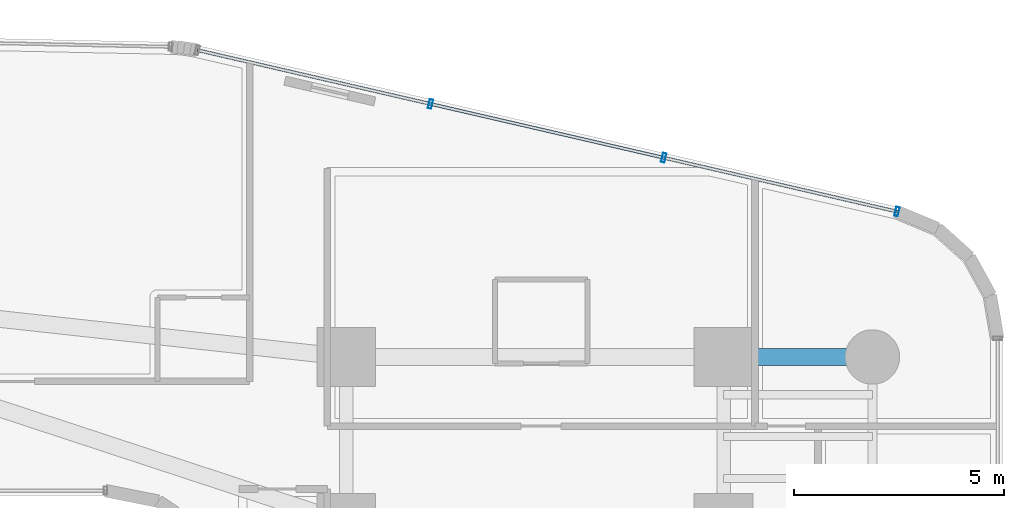
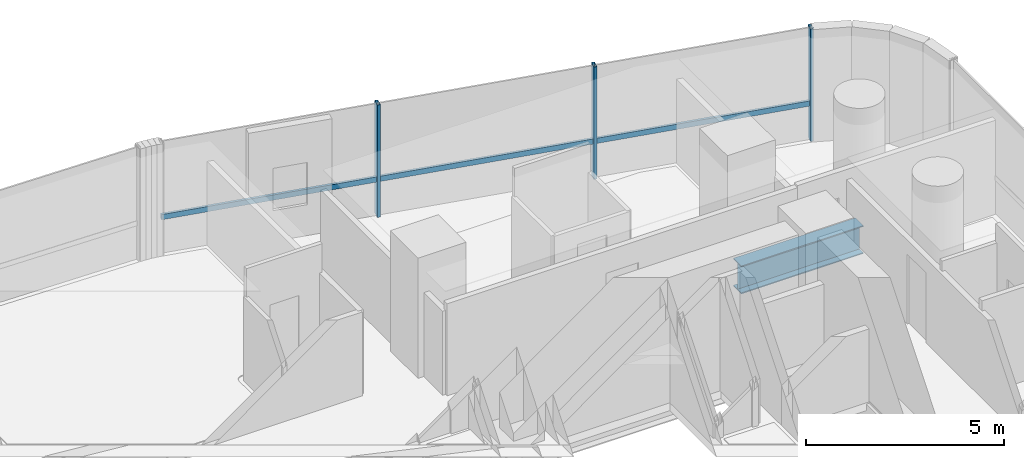
# One storey, part 24 of 42: 4 members, 1 beam, 1 element without a shape of its own.
"""IFC4 building model written with IfcOpenShell, lengths in metres."""

from ifc_helpers import new_model, si_unit, direction, frame, origin, origin_2d, place, context, subcontext, project, spatial, hollow_rectangle, i_section, extrude, source, transform, mapped, material, material_profile, profile_set, type_object, element, aggregate, save


model = new_model("IFC4")

# Units and contexts
model_context = context("Model", 3, precision=1e-05, world=origin(), true_north=direction((0.0, 1.0)))
body_context = subcontext(model_context, "Body", "Model", "MODEL_VIEW")
ifc_project = project(units=[si_unit("LENGTHUNIT", "METRE"), si_unit("AREAUNIT", "SQUARE_METRE"), si_unit("VOLUMEUNIT", "CUBIC_METRE"), si_unit("PLANEANGLEUNIT", "RADIAN"), si_unit("MASSUNIT", "GRAM", prefix="KILO")], contexts=[model_context])

# Site, building, storey
site_placement = place(None, origin())
site = spatial("IfcSite", under=ifc_project, at=site_placement, CompositionType="ELEMENT")
building_placement = place(site_placement, origin())
building = spatial("IfcBuilding", under=site, at=building_placement, Name="Valdorenza Pilgrim Sanctuary Tower", CompositionType="ELEMENT")
storey_placement = place(building_placement, frame((0.0, 0.0, 29.699951171875)))
storey = spatial("IfcBuildingStorey", under=building, at=storey_placement, Name="L06", CompositionType="ELEMENT", Elevation=29.699951171875)

# Beam
ifc_material_1 = material(Name="Steel ASTM A992 Grade 50", Category="steel")
ifc_material_profile_1 = material_profile(ifc_material_1, i_section(OverallWidth=0.39990234375, OverallDepth=0.862060546875, WebThickness=0.019775390625, FlangeThickness=0.032470703125, at=origin_2d()), Name="W33X221")
ifc_profile_set_1 = profile_set([ifc_material_profile_1], Name="Steel ASTM A992 Grade 50")
beam_type = type_object("IfcBeamType", Name="STR-BM-GRD-W33", PredefinedType="BEAM", material=ifc_profile_set_1)
shared_shape_1 = source(origin(), body_context, "Body", "SweptSolid", [
    extrude(i_section(OverallWidth=0.39990234375, OverallDepth=0.862060546875, WebThickness=0.019775390625, FlangeThickness=0.032470703125, at=origin_2d()), origin(), (0.0, 0.0, 1.0), 3.5498046875),
])
beam_placement = place(storey_placement, frame((24.85009765625, 13.5, -0.6708984375), z_axis=(1.0, 0.0, 0.0), x_axis=(0.0, 1.0, 0.0)))
element("IfcBeam", 1, at=beam_placement, inside=storey, type_object=beam_type, Name="L06 Floor Girder WB-XE-N2", PredefinedType="BEAM", context=body_context, shape_type="MappedRepresentation", body=[
    mapped(shared_shape_1, transform((0.0, 0.0, 0.0), x_axis=(1.0, 0.0, 0.0), y_axis=(0.0, 1.0, 0.0), z_axis=(0.0, 0.0, 1.0), scale=1.0)),
])

# Curtain wall, members
ifc_material_2 = material(Name="Curtain-wall IGU glazing", Category="glass")
curtain_wall_type = type_object("IfcCurtainWallType", Name="CW-SYS-03", PredefinedType="NOTDEFINED", material=ifc_material_2)
curtain_wall_placement = place(storey_placement, origin())
curtain_wall = element("IfcCurtainWall", 2, at=curtain_wall_placement, inside=storey, type_object=curtain_wall_type, Name="L06 Curtain Wall CW-L06-1-16", PredefinedType="NOTDEFINED")
ifc_material_3 = material(Name="Anodised aluminium AW-6060", Category="aluminium")
ifc_material_profile_2 = material_profile(ifc_material_3, hollow_rectangle(XDim=0.0849609375, YDim=0.219970703125, WallThickness=0.0048828125, at=origin_2d()), Name="ALU-M 220x85x5")
ifc_profile_set_2 = profile_set([ifc_material_profile_2], Name="Anodised aluminium AW-6060")
member_type_1 = type_object("IfcMemberType", Name="CW-MUL-03", PredefinedType="MULLION", material=ifc_profile_set_2)
shared_shape_2 = source(origin(), body_context, "Body", "SweptSolid", [
    extrude(hollow_rectangle(XDim=0.0849609375, YDim=0.219970703125, WallThickness=0.0048828125, at=origin_2d()), origin(), (0.0, 0.0, 1.0), 3.4599609375),
])
member_1_placement = place(storey_placement, frame((17.861328125, 19.534423828125, 0.0), z_axis=(0.0, 0.0, 1.0), x_axis=(0.974389691758, -0.224866023659, 0.0)))
member_1 = element("IfcMember", 3, at=member_1_placement, type_object=member_type_1, Name="CW-L06-1-16 Mullion 2", PredefinedType="MULLION", context=body_context, shape_type="MappedRepresentation", body=[
    mapped(shared_shape_2, transform((0.0, 0.0, 0.0), x_axis=(1.0, 0.0, 0.0), y_axis=(0.0, 1.0, 0.0), z_axis=(0.0, 0.0, 1.0), scale=1.0)),
])
member_2_placement = place(storey_placement, frame((23.423583984375, 18.2509765625, 0.0), z_axis=(0.0, 0.0, 1.0), x_axis=(0.974389691758, -0.224866023659, 0.0)))
member_2 = element("IfcMember", 4, at=member_2_placement, type_object=member_type_1, Name="CW-L06-1-16 Mullion 3", PredefinedType="MULLION", context=body_context, shape_type="MappedRepresentation", body=[
    mapped(shared_shape_2, transform((0.0, 0.0, 0.0), x_axis=(1.0, 0.0, 0.0), y_axis=(0.0, 1.0, 0.0), z_axis=(0.0, 0.0, 1.0), scale=1.0)),
])
member_3_placement = place(storey_placement, frame((28.98583984375, 16.96728515625, 0.0), z_axis=(0.0, 0.0, 1.0), x_axis=(0.974389691758, -0.224866023659, 0.0)))
member_3 = element("IfcMember", 5, at=member_3_placement, type_object=member_type_1, Name="CW-L06-1-16 Mullion 4", PredefinedType="MULLION", context=body_context, shape_type="MappedRepresentation", body=[
    mapped(shared_shape_2, transform((0.0, 0.0, 0.0), x_axis=(1.0, 0.0, 0.0), y_axis=(0.0, 1.0, 0.0), z_axis=(0.0, 0.0, 1.0), scale=1.0)),
])
ifc_material_profile_3 = material_profile(ifc_material_3, hollow_rectangle(XDim=0.074951171875, YDim=0.159912109375, WallThickness=0.00390625, at=origin_2d()), Name="ALU-T 160x75x4")
ifc_profile_set_3 = profile_set([ifc_material_profile_3], Name="Anodised aluminium AW-6060")
member_type_2 = type_object("IfcMemberType", Name="CW-TRN-03", PredefinedType="USERDEFINED", material=ifc_profile_set_3)
shared_shape_3 = source(origin(), body_context, "Body", "SweptSolid", [
    extrude(hollow_rectangle(XDim=0.074951171875, YDim=0.159912109375, WallThickness=0.00390625, at=origin_2d()), origin(), (0.0, 0.0, 1.0), 17.125244140625),
])
member_4_placement = place(storey_placement, frame((12.299072265625, 20.818115234375, 1.1201171875), z_axis=(0.974390715149, -0.224861589051, 0.0), x_axis=(0.224861589051, 0.974390715149, 0.0)))
member_4 = element("IfcMember", 6, at=member_4_placement, type_object=member_type_2, Name="CW-L06-1-16 Transom 1", ObjectType="TRANSOM", PredefinedType="USERDEFINED", context=body_context, shape_type="MappedRepresentation", body=[
    mapped(shared_shape_3, transform((0.0, 0.0, 0.0), x_axis=(1.0, 0.0, 0.0), y_axis=(0.0, 1.0, 0.0), z_axis=(0.0, 0.0, 1.0), scale=1.0)),
])
aggregate(curtain_wall, [member_1, member_2, member_3, member_4])

save(model, "model.ifc")
